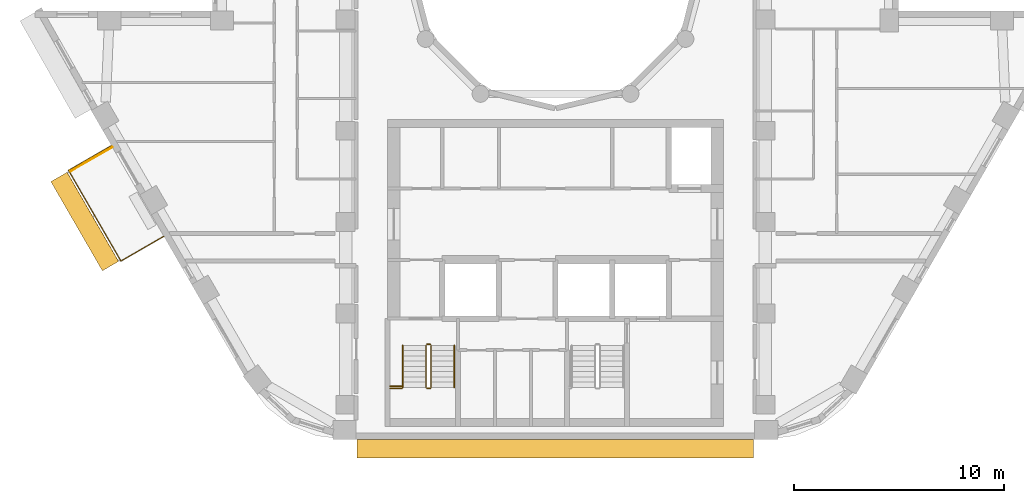
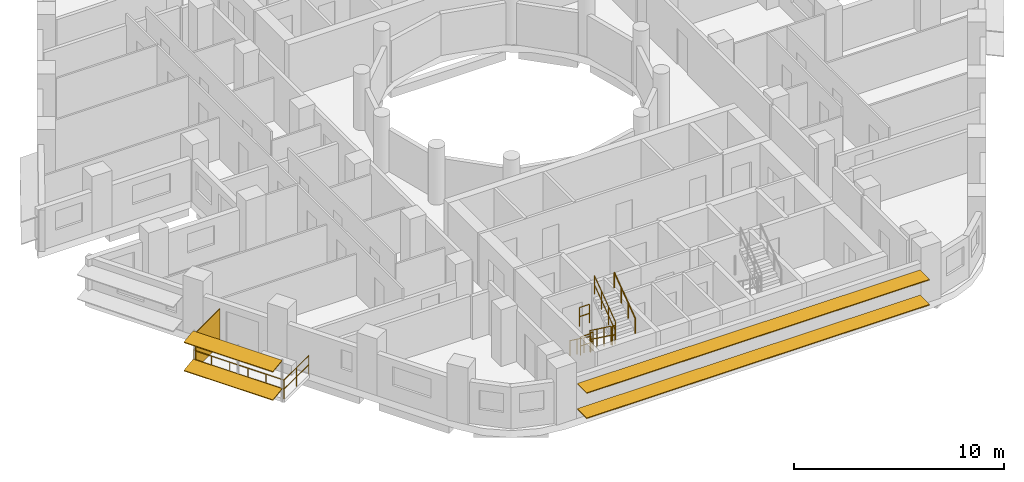
# One storey, part 12 of 16: 9 railings, 5 shading devices.
"""IFC4 building model written with IfcOpenShell, lengths in metres."""

from ifc_helpers import new_model, si_unit, direction, frame, origin, origin_2d, place, context, subcontext, project, spatial, rectangle, circle, extrude, material, layer, layer_set, material_profile, profile_set, type_object, element, save


model = new_model("IFC4")

# Units and contexts
model_context = context("Model", 3, precision=1e-05, world=origin(), true_north=direction((0.0, 1.0)))
body_context = subcontext(model_context, "Body", "Model", "MODEL_VIEW")
ifc_project = project(units=[si_unit("LENGTHUNIT", "METRE"), si_unit("AREAUNIT", "SQUARE_METRE"), si_unit("VOLUMEUNIT", "CUBIC_METRE"), si_unit("PLANEANGLEUNIT", "RADIAN"), si_unit("MASSUNIT", "GRAM", prefix="KILO")], contexts=[model_context])

# Site, building, storey
site_placement = place(None, origin())
site = spatial("IfcSite", under=ifc_project, at=site_placement, CompositionType="ELEMENT")
building_placement = place(site_placement, origin())
building = spatial("IfcBuilding", under=site, at=building_placement, Name="Nakaniwa Court", CompositionType="ELEMENT")
storey_placement = place(building_placement, frame((0.0, 0.0, 226.199951171875)))
storey = spatial("IfcBuildingStorey", under=building, at=storey_placement, Name="L58", CompositionType="ELEMENT", Elevation=226.199951171875)

# Railing
ifc_material_1 = material(Name="Black powder-coated steel flat bar balustrade S275", Category="steel")
railing_type_1 = type_object("IfcRailingType", Name="Black metal balcony guard 1100", PredefinedType="GUARDRAIL", material=ifc_material_1)
railing_1_placement = place(storey_placement, frame((58.843994140625, 71.343017578125, -0.050048828125)))
element("IfcRailing", 1, at=railing_1_placement, inside=storey, type_object=railing_type_1, Name="L58 balcony guard 01", PredefinedType="GUARDRAIL", context=body_context, shape_type="SweptSolid", body=[
    extrude(circle(Radius=0.02392578125, at=origin_2d()), frame((0.0, 0.0, 1.076171875), z_axis=(-0.866025363618, -0.50000006957, 0.0), x_axis=(0.50000006957, -0.866025363618, 0.0)), (0.0, 0.0, 1.0), 2.35986328125),
    extrude(circle(Radius=0.02392578125, at=origin_2d()), frame((0.0, 0.0, 0.550048828125), z_axis=(-0.866025363618, -0.50000006957, 0.0), x_axis=(0.50000006957, -0.866025363618, 0.0)), (0.0, 0.0, 1.0), 2.35986328125),
    extrude(circle(Radius=0.02392578125, at=origin_2d()), frame((-2.043701171875, -1.179931640625, 1.076171875), z_axis=(0.499972500097, -0.866041280279, 0.0), x_axis=(0.866041280279, 0.499972500097, 0.0)), (0.0, 0.0, 1.0), 4.986572265625),
    extrude(circle(Radius=0.02392578125, at=origin_2d()), frame((-2.043701171875, -1.179931640625, 0.550048828125), z_axis=(0.499972500097, -0.866041280279, 0.0), x_axis=(0.866041280279, 0.499972500097, 0.0)), (0.0, 0.0, 1.0), 4.986572265625),
    extrude(circle(Radius=0.02392578125, at=origin_2d()), frame((0.449462890625, -5.49853515625, 1.076171875), z_axis=(0.866006432019, 0.500032858622, 0.0), x_axis=(-0.500032858622, 0.866006432019, 0.0)), (0.0, 0.0, 1.0), 2.360107421875),
    extrude(circle(Radius=0.02392578125, at=origin_2d()), frame((0.449462890625, -5.49853515625, 0.550048828125), z_axis=(0.866006432019, 0.500032858622, 0.0), x_axis=(-0.500032858622, 0.866006432019, 0.0)), (0.0, 0.0, 1.0), 2.360107421875),
    extrude(circle(Radius=0.02099609375, at=origin_2d()), origin(), (0.0, 0.0, 1.0), 1.052001953125),
    extrude(circle(Radius=0.02099609375, at=origin_2d()), frame((-1.02197265625, -0.58984375, 0.0)), (0.0, 0.0, 1.0), 1.052001953125),
    extrude(circle(Radius=0.02099609375, at=origin_2d()), frame((-2.043701171875, -1.179931640625, 0.0)), (0.0, 0.0, 1.0), 1.052001953125),
    extrude(circle(Radius=0.02099609375, at=origin_2d()), frame((-1.545166015625, -2.043701171875, 0.0)), (0.0, 0.0, 1.0), 1.052001953125),
    extrude(circle(Radius=0.02099609375, at=origin_2d()), frame((-1.04638671875, -2.907470703125, 0.0)), (0.0, 0.0, 1.0), 1.052001953125),
    extrude(circle(Radius=0.02099609375, at=origin_2d()), frame((-0.5478515625, -3.77099609375, 0.0)), (0.0, 0.0, 1.0), 1.052001953125),
    extrude(circle(Radius=0.02099609375, at=origin_2d()), frame((-0.049072265625, -4.634765625, 0.0)), (0.0, 0.0, 1.0), 1.052001953125),
    extrude(circle(Radius=0.02099609375, at=origin_2d()), frame((0.449462890625, -5.49853515625, 0.0)), (0.0, 0.0, 1.0), 1.052001953125),
    extrude(circle(Radius=0.02099609375, at=origin_2d()), frame((1.471435546875, -4.908447265625, 0.0)), (0.0, 0.0, 1.0), 1.052001953125),
    extrude(circle(Radius=0.02099609375, at=origin_2d()), frame((2.493408203125, -4.318359375, 0.0)), (0.0, 0.0, 1.0), 1.052001953125),
])

# Shading devices
ifc_material_2 = material(Name="Black powder-coated aluminium slat screen", Category="aluminium")
ifc_layer = layer(ifc_material_2, 0.0400390625)
ifc_layer_set = layer_set([ifc_layer], Name="Black powder-coated aluminium slat screen")
shading_device_type_1 = type_object("IfcShadingDeviceType", Name="Koshi screen black metal", PredefinedType="USERDEFINED", material=ifc_layer_set)
shading_device_placement = place(storey_placement, frame((57.8837890625, 70.6962890625, -0.050048828125), z_axis=(0.0, 0.0, 1.0), x_axis=(0.499986396443, -0.866033257659, 0.0)))
element("IfcShadingDevice", 2, at=shading_device_placement, inside=storey, type_object=shading_device_type_1, Name="L58 balcony SCREEN 01 W", ObjectType="KOSHI SCREEN", PredefinedType="USERDEFINED", context=body_context, shape_type="SweptSolid", body=[
    extrude(rectangle(XDim=0.0400390625, YDim=2.31005859375, at=origin_2d()), origin(), (0.0, 0.0, 1.0), 2.10009765625),
])
ifc_material_3 = material(Name="Perforated charcoal ceramic louvre blade")
ifc_material_profile = material_profile(ifc_material_3, rectangle(XDim=0.89990234375, YDim=0.050048828125, at=origin_2d()), Name="Perforated ceramic louvre blade")
ifc_profile_set = profile_set([ifc_material_profile], Name="Perforated charcoal ceramic louvre blade")
shading_device_type_2 = type_object("IfcShadingDeviceType", Name="Perforated ceramic louvre blade", PredefinedType="JALOUSIE", material=ifc_profile_set)
for number, where, z_axis, x_axis, name in (
    (3, (56.344482421875, 69.853759765625, 0.5), (0.499970837582, -0.86604224006, 0.0), (0.85863312864, 0.495693517758, 0.13052619222), "L58 perforated ceramic louvre blade 01 1"),
    (4, (56.344482421875, 69.853759765625, 2.150146484375), (0.499970837582, -0.86604224006, 0.0), (0.85863312864, 0.495693517758, 0.13052619222), "L58 perforated ceramic louvre blade 01 2"),
):
    element("IfcShadingDevice", number, at=place(storey_placement, frame(where, z_axis=z_axis, x_axis=x_axis)), inside=storey, type_object=shading_device_type_2, Name=name, PredefinedType="JALOUSIE", context=body_context, shape_type="SweptSolid", body=[
        extrude(rectangle(XDim=0.89990234375, YDim=0.050048828125, at=origin_2d()), origin(), (0.0, 0.0, 1.0), 4.906494140625),
    ])
for number, where, z_axis, x_axis, name in (
    (5, (70.55078125, 56.89990234375, 0.550048828125), (1.0, 0.0, 0.0), (0.0, 1.0, 0.0), "L58 perforated ceramic louvre blade w26 1"),
    (6, (70.55078125, 56.89990234375, 2.01513671875), (1.0, 0.0, 0.0), (0.0, 1.0, 0.0), "L58 perforated ceramic louvre blade w26 2"),
):
    element("IfcShadingDevice", number, at=place(storey_placement, frame(where, z_axis=z_axis, x_axis=x_axis)), inside=storey, type_object=shading_device_type_2, Name=name, PredefinedType="JALOUSIE", context=body_context, shape_type="SweptSolid", body=[
        extrude(rectangle(XDim=0.89990234375, YDim=0.050048828125, at=origin_2d()), origin(), (0.0, 0.0, 1.0), 18.892822265625),
    ])

# Railings
ifc_material_4 = material(Name="Black powder coated steel guard", Category="steel")
railing_type_2 = type_object("IfcRailingType", Name="Stair guard 1100", PredefinedType="GUARDRAIL", material=ifc_material_4)
railing_2_placement = place(storey_placement, frame((73.824951171875, 61.824951171875, 0.183349609375)))
element("IfcRailing", 7, at=railing_2_placement, inside=storey, type_object=railing_type_2, Name="L58 ST3 stair guard 1", PredefinedType="GUARDRAIL", context=body_context, shape_type="SweptSolid", body=[
    extrude(circle(Radius=0.02392578125, at=origin_2d()), frame((0.0, 0.0, 1.076171875), z_axis=(0.0, -0.806379959628, 0.591397802423), x_axis=(1.0, 0.0, 0.0)), (0.0, 0.0, 1.0), 2.480224609375),
    extrude(circle(Radius=0.02392578125, at=origin_2d()), frame((0.0, 0.0, 0.550048828125), z_axis=(0.0, -0.806379959628, 0.591397802423), x_axis=(1.0, 0.0, 0.0)), (0.0, 0.0, 1.0), 2.480224609375),
    extrude(circle(Radius=0.02099609375, at=origin_2d()), origin(), (0.0, 0.0, 1.0), 1.052001953125),
    extrude(circle(Radius=0.02099609375, at=origin_2d()), frame((0.0, -0.666748046875, 0.489013671875)), (0.0, 0.0, 1.0), 1.052001953125),
    extrude(circle(Radius=0.02099609375, at=origin_2d()), frame((0.0, -1.333251953125, 0.977783203125)), (0.0, 0.0, 1.0), 1.052001953125),
    extrude(circle(Radius=0.02099609375, at=origin_2d()), frame((0.0, -2.0, 1.466796875)), (0.0, 0.0, 1.0), 1.052001953125),
])
railing_3_placement = place(storey_placement, frame((73.875, 59.77490234375, 1.650146484375)))
element("IfcRailing", 8, at=railing_3_placement, inside=storey, type_object=railing_type_2, Name="L58 ST3 stair guard 2", PredefinedType="GUARDRAIL", context=body_context, shape_type="SweptSolid", body=[
    extrude(circle(Radius=0.02392578125, at=origin_2d()), frame((0.0, 0.0, 1.076171875), z_axis=(1.0, 0.0, 0.0), x_axis=(0.0, 1.0, 0.0)), (0.0, 0.0, 1.0), 0.14990234375),
    extrude(circle(Radius=0.02392578125, at=origin_2d()), frame((0.0, 0.0, 0.550048828125), z_axis=(1.0, 0.0, 0.0), x_axis=(0.0, 1.0, 0.0)), (0.0, 0.0, 1.0), 0.14990234375),
    extrude(circle(Radius=0.02099609375, at=origin_2d()), origin(), (0.0, 0.0, 1.0), 1.052001953125),
    extrude(circle(Radius=0.02099609375, at=origin_2d()), frame((0.14990234375, 0.0, 0.0)), (0.0, 0.0, 1.0), 1.052001953125),
])
railing_4_placement = place(storey_placement, frame((74.074951171875, 59.824951171875, 1.83349609375)))
element("IfcRailing", 9, at=railing_4_placement, inside=storey, type_object=railing_type_2, Name="L58 ST3 stair guard 3", PredefinedType="GUARDRAIL", context=body_context, shape_type="SweptSolid", body=[
    extrude(circle(Radius=0.02392578125, at=origin_2d()), frame((0.0, 0.0, 1.076171875), z_axis=(0.0, 0.806426902644, 0.591333789573), x_axis=(-1.0, 0.0, 0.0)), (0.0, 0.0, 1.0), 2.47998046875),
    extrude(circle(Radius=0.02392578125, at=origin_2d()), frame((0.0, 0.0, 0.550048828125), z_axis=(0.0, 0.806426902644, 0.591333789573), x_axis=(-1.0, 0.0, 0.0)), (0.0, 0.0, 1.0), 2.47998046875),
    extrude(circle(Radius=0.02099609375, at=origin_2d()), origin(), (0.0, 0.0, 1.0), 1.052001953125),
    extrude(circle(Radius=0.02099609375, at=origin_2d()), frame((0.0, 0.666748046875, 0.48876953125)), (0.0, 0.0, 1.0), 1.052001953125),
    extrude(circle(Radius=0.02099609375, at=origin_2d()), frame((0.0, 1.333251953125, 0.977783203125)), (0.0, 0.0, 1.0), 1.052001953125),
    extrude(circle(Radius=0.02099609375, at=origin_2d()), frame((0.0, 2.0, 1.466552734375)), (0.0, 0.0, 1.0), 1.052001953125),
])
railing_5_placement = place(storey_placement, frame((73.875, 61.875, 0.0)))
element("IfcRailing", 10, at=railing_5_placement, inside=storey, type_object=railing_type_2, Name="L58 ST3 stair guard 4", PredefinedType="GUARDRAIL", context=body_context, shape_type="SweptSolid", body=[
    extrude(circle(Radius=0.02392578125, at=origin_2d()), frame((0.0, 0.0, 1.076171875), z_axis=(1.0, 0.0, 0.0), x_axis=(0.0, 1.0, 0.0)), (0.0, 0.0, 1.0), 0.14990234375),
    extrude(circle(Radius=0.02392578125, at=origin_2d()), frame((0.0, 0.0, 0.550048828125), z_axis=(1.0, 0.0, 0.0), x_axis=(0.0, 1.0, 0.0)), (0.0, 0.0, 1.0), 0.14990234375),
    extrude(circle(Radius=0.02099609375, at=origin_2d()), origin(), (0.0, 0.0, 1.0), 1.052001953125),
    extrude(circle(Radius=0.02099609375, at=origin_2d()), frame((0.14990234375, 0.0, 0.0)), (0.0, 0.0, 1.0), 1.052001953125),
])
for number, where, name in (
    (11, (72.125, 59.77490234375, 1.650146484375), "L58 ST3 landing side guard 1W"),
    (12, (72.125, 59.875, 3.300048828125), "L58 ST3 floor edge guard 1W"),
):
    element("IfcRailing", number, at=place(storey_placement, frame(where)), inside=storey, type_object=railing_type_2, Name=name, PredefinedType="GUARDRAIL", context=body_context, shape_type="SweptSolid", body=[
        extrude(circle(Radius=0.02392578125, at=origin_2d()), frame((0.0, 0.0, 1.076171875), z_axis=(1.0, 0.0, 0.0), x_axis=(0.0, 1.0, 0.0)), (0.0, 0.0, 1.0), 0.550048828125),
        extrude(circle(Radius=0.02392578125, at=origin_2d()), frame((0.0, 0.0, 0.550048828125), z_axis=(1.0, 0.0, 0.0), x_axis=(0.0, 1.0, 0.0)), (0.0, 0.0, 1.0), 0.550048828125),
        extrude(circle(Radius=0.02099609375, at=origin_2d()), origin(), (0.0, 0.0, 1.0), 1.052001953125),
        extrude(circle(Radius=0.02099609375, at=origin_2d()), frame((0.550048828125, 0.0, 0.0)), (0.0, 0.0, 1.0), 1.052001953125),
    ])
ifc_material_5 = material(Name="Black powder coated steel handrail", Category="steel")
railing_type_3 = type_object("IfcRailingType", Name="Stair handrail 900", PredefinedType="HANDRAIL", material=ifc_material_5)
railing_6_placement = place(storey_placement, frame((72.72509765625, 61.824951171875, 0.183349609375)))
element("IfcRailing", 13, at=railing_6_placement, inside=storey, type_object=railing_type_3, Name="L58 ST3 stair handrail 1", PredefinedType="HANDRAIL", context=body_context, shape_type="SweptSolid", body=[
    extrude(circle(Radius=0.02392578125, at=origin_2d()), frame((0.0, 0.0, 0.8759765625), z_axis=(0.0, -0.806379959628, 0.591397802423), x_axis=(1.0, 0.0, 0.0)), (0.0, 0.0, 1.0), 2.480224609375),
    extrude(circle(Radius=0.02099609375, at=origin_2d()), origin(), (0.0, 0.0, 1.0), 0.851806640625),
    extrude(circle(Radius=0.02099609375, at=origin_2d()), frame((0.0, -0.666748046875, 0.489013671875)), (0.0, 0.0, 1.0), 0.851806640625),
    extrude(circle(Radius=0.02099609375, at=origin_2d()), frame((0.0, -1.333251953125, 0.977783203125)), (0.0, 0.0, 1.0), 0.851806640625),
    extrude(circle(Radius=0.02099609375, at=origin_2d()), frame((0.0, -2.0, 1.466796875)), (0.0, 0.0, 1.0), 0.851806640625),
])
railing_7_placement = place(storey_placement, frame((75.175048828125, 59.824951171875, 1.83349609375)))
element("IfcRailing", 14, at=railing_7_placement, inside=storey, type_object=railing_type_3, Name="L58 ST3 stair handrail 2", PredefinedType="HANDRAIL", context=body_context, shape_type="SweptSolid", body=[
    extrude(circle(Radius=0.02392578125, at=origin_2d()), frame((0.0, 0.0, 0.8759765625), z_axis=(0.0, 0.806426902644, 0.591333789573), x_axis=(-1.0, 0.0, 0.0)), (0.0, 0.0, 1.0), 2.47998046875),
    extrude(circle(Radius=0.02099609375, at=origin_2d()), origin(), (0.0, 0.0, 1.0), 0.851806640625),
    extrude(circle(Radius=0.02099609375, at=origin_2d()), frame((0.0, 0.666748046875, 0.48876953125)), (0.0, 0.0, 1.0), 0.851806640625),
    extrude(circle(Radius=0.02099609375, at=origin_2d()), frame((0.0, 1.333251953125, 0.977783203125)), (0.0, 0.0, 1.0), 0.851806640625),
    extrude(circle(Radius=0.02099609375, at=origin_2d()), frame((0.0, 2.0, 1.466552734375)), (0.0, 0.0, 1.0), 0.851806640625),
])

save(model, "model.ifc")
